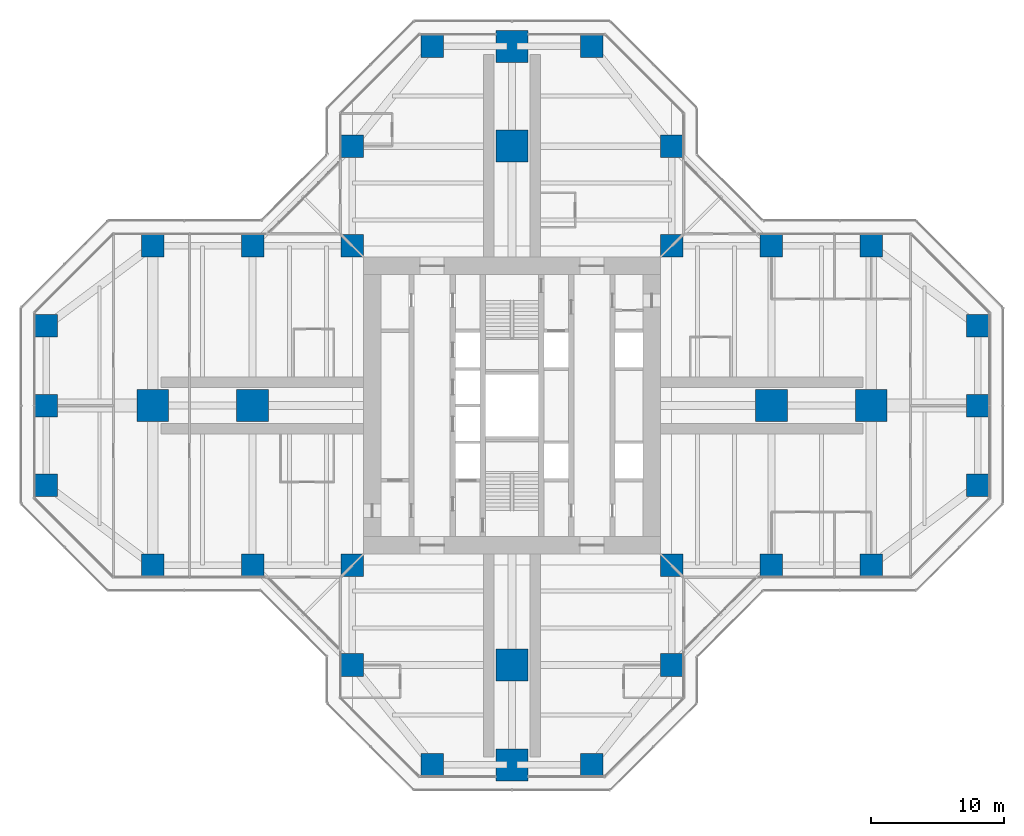
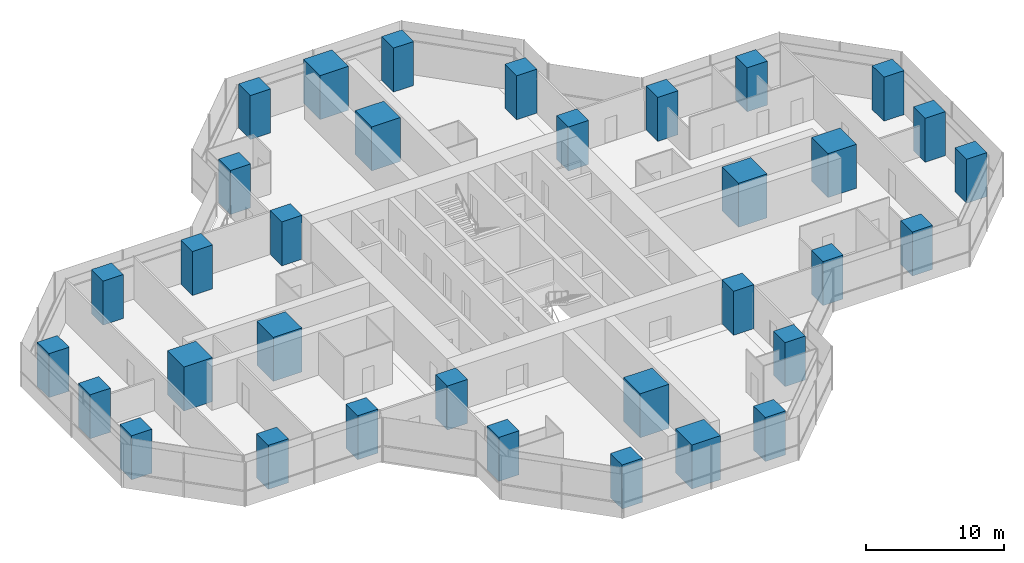
# One storey, part 1 of 20: 34 columns.
"""IFC4 building model written with IfcOpenShell, lengths in metres."""

from ifc_helpers import new_model, si_unit, direction, frame, origin, origin_2d, place, context, subcontext, project, spatial, rectangle, extrude, material, material_profile, profile_set, type_object, element, save


model = new_model("IFC4")

# Units and contexts
model_context = context("Model", 3, precision=1e-05, world=origin(), true_north=direction((0.0, 1.0)))
body_context = subcontext(model_context, "Body", "Model", "MODEL_VIEW")
ifc_project = project(units=[si_unit("LENGTHUNIT", "METRE"), si_unit("AREAUNIT", "SQUARE_METRE"), si_unit("VOLUMEUNIT", "CUBIC_METRE"), si_unit("PLANEANGLEUNIT", "RADIAN"), si_unit("MASSUNIT", "GRAM", prefix="KILO")], contexts=[model_context])

# Site, building, storey
site_placement = place(None, origin())
site = spatial("IfcSite", under=ifc_project, at=site_placement, CompositionType="ELEMENT")
building_placement = place(site_placement, origin())
building = spatial("IfcBuilding", under=site, at=building_placement, Name="Mizan Broadcast Tower", CompositionType="ELEMENT")
storey_placement = place(building_placement, frame((0.0, 0.0, 147.60009765625)))
storey = spatial("IfcBuildingStorey", under=building, at=storey_placement, Name="L33", CompositionType="ELEMENT", Elevation=147.60009765625)

# Columns
ifc_material_1 = material(Name="Concrete C70/85", Category="concrete")
ifc_material_profile_1 = material_profile(ifc_material_1, rectangle(XDim=1.699951171875, YDim=1.699951171875, at=origin_2d()), Name="RC 1700x1700")
ifc_profile_set_1 = profile_set([ifc_material_profile_1], Name="Concrete C70/85")
column_type_1 = type_object("IfcColumnType", Name="RC COLUMN 1700x1700 C70/85", PredefinedType="COLUMN", material=ifc_profile_set_1)
for number, where, z_axis, x_axis, name in (
    (1, (-6.0, -27.0, 0.0), (0.0, 0.0, 1.0), (1.0, 0.0, 0.0), "Column 5/B L33"),
    (2, (6.0, -27.0, 0.0), (0.0, 0.0, 1.0), (1.0, 0.0, 0.0), "Column 7/B L33"),
    (3, (-12.0, -19.5, 0.0), (0.0, 0.0, 1.0), (1.0, 0.0, 0.0), "Column 4/C L33"),
    (4, (12.0, -19.5, 0.0), (0.0, 0.0, 1.0), (1.0, 0.0, 0.0), "Column 8/C L33"),
    (5, (-27.0, -12.0, 0.0), (0.0, 0.0, 1.0), (1.0, 0.0, 0.0), "Column 2/D L33"),
    (6, (-19.5, -12.0, 0.0), (0.0, 0.0, 1.0), (1.0, 0.0, 0.0), "Column 3/D L33"),
    (7, (-12.0, -12.0, 0.0), (0.0, 0.0, 1.0), (1.0, 0.0, 0.0), "Column 4/D L33"),
    (8, (12.0, -12.0, 0.0), (0.0, 0.0, 1.0), (1.0, 0.0, 0.0), "Column 8/D L33"),
    (9, (19.5, -12.0, 0.0), (0.0, 0.0, 1.0), (1.0, 0.0, 0.0), "Column 9/D L33"),
    (10, (27.0, -12.0, 0.0), (0.0, 0.0, 1.0), (1.0, 0.0, 0.0), "Column 10/D L33"),
    (11, (-35.0, -6.0, 0.0), (0.0, 0.0, 1.0), (1.0, 0.0, 0.0), "Column 1/E L33"),
    (12, (35.0, -6.0, 0.0), (0.0, 0.0, 1.0), (1.0, 0.0, 0.0), "Column 11/E L33"),
    (13, (-35.0, 0.0, 0.0), (0.0, 0.0, 1.0), (1.0, 0.0, 0.0), "Column 1/F L33"),
    (14, (35.0, 0.0, 0.0), (0.0, 0.0, 1.0), (1.0, 0.0, 0.0), "Column 11/F L33"),
    (15, (-35.0, 6.0, 0.0), (0.0, 0.0, 1.0), (1.0, 0.0, 0.0), "Column 1/G L33"),
    (16, (35.0, 6.0, 0.0), (0.0, 0.0, 1.0), (1.0, 0.0, 0.0), "Column 11/G L33"),
    (17, (-27.0, 12.0, 0.0), (0.0, 0.0, 1.0), (1.0, 0.0, 0.0), "Column 2/H L33"),
    (18, (-19.5, 12.0, 0.0), (0.0, 0.0, 1.0), (1.0, 0.0, 0.0), "Column 3/H L33"),
    (19, (-12.0, 12.0, 0.0), (0.0, 0.0, 1.0), (1.0, 0.0, 0.0), "Column 4/H L33"),
    (20, (12.0, 12.0, 0.0), (0.0, 0.0, 1.0), (1.0, 0.0, 0.0), "Column 8/H L33"),
    (21, (19.5, 12.0, 0.0), (0.0, 0.0, 1.0), (1.0, 0.0, 0.0), "Column 9/H L33"),
    (22, (27.0, 12.0, 0.0), (0.0, 0.0, 1.0), (1.0, 0.0, 0.0), "Column 10/H L33"),
    (23, (-12.0, 19.5, 0.0), (0.0, 0.0, 1.0), (1.0, 0.0, 0.0), "Column 4/J L33"),
    (24, (12.0, 19.5, 0.0), (0.0, 0.0, 1.0), (1.0, 0.0, 0.0), "Column 8/J L33"),
    (25, (-6.0, 27.0, 0.0), (0.0, 0.0, 1.0), (1.0, 0.0, 0.0), "Column 5/K L33"),
    (26, (6.0, 27.0, 0.0), (0.0, 0.0, 1.0), (1.0, 0.0, 0.0), "Column 7/K L33"),
):
    element("IfcColumn", number, at=place(storey_placement, frame(where, z_axis=z_axis, x_axis=x_axis)), inside=storey, type_object=column_type_1, Name=name, PredefinedType="COLUMN", context=body_context, shape_type="SweptSolid", body=[
        extrude(rectangle(XDim=1.699951171875, YDim=1.699951171875, at=origin_2d()), origin(), (0.0, 0.0, 1.0), 3.89990234375),
    ])
ifc_material_2 = material(Name="Concrete C70/85", Category="concrete")
ifc_material_profile_2 = material_profile(ifc_material_2, rectangle(XDim=2.39990234375, YDim=2.39990234375, at=origin_2d()), Name="RC 2400x2400")
ifc_profile_set_2 = profile_set([ifc_material_profile_2], Name="Concrete C70/85")
column_type_2 = type_object("IfcColumnType", Name="RC COLUMN 2400x2400 C70/85", PredefinedType="COLUMN", material=ifc_profile_set_2)
for number, where, z_axis, x_axis, name in (
    (27, (0.0, -27.0, 0.0), (0.0, 0.0, 1.0), (1.0, 0.0, 0.0), "Column 6/B L33"),
    (28, (0.0, -19.5, 0.0), (0.0, 0.0, 1.0), (1.0, 0.0, 0.0), "Column 6/C L33"),
    (29, (-27.0, 0.0, 0.0), (0.0, 0.0, 1.0), (1.0, 0.0, 0.0), "Column 2/F L33"),
    (30, (-19.5, 0.0, 0.0), (0.0, 0.0, 1.0), (1.0, 0.0, 0.0), "Column 3/F L33"),
    (31, (19.5, 0.0, 0.0), (0.0, 0.0, 1.0), (1.0, 0.0, 0.0), "Column 9/F L33"),
    (32, (27.0, 0.0, 0.0), (0.0, 0.0, 1.0), (1.0, 0.0, 0.0), "Column 10/F L33"),
    (33, (0.0, 19.5, 0.0), (0.0, 0.0, 1.0), (1.0, 0.0, 0.0), "Column 6/J L33"),
    (34, (0.0, 27.0, 0.0), (0.0, 0.0, 1.0), (1.0, 0.0, 0.0), "Column 6/K L33"),
):
    element("IfcColumn", number, at=place(storey_placement, frame(where, z_axis=z_axis, x_axis=x_axis)), inside=storey, type_object=column_type_2, Name=name, PredefinedType="COLUMN", context=body_context, shape_type="SweptSolid", body=[
        extrude(rectangle(XDim=2.39990234375, YDim=2.39990234375, at=origin_2d()), origin(), (0.0, 0.0, 1.0), 3.89990234375),
    ])

save(model, "model.ifc")
